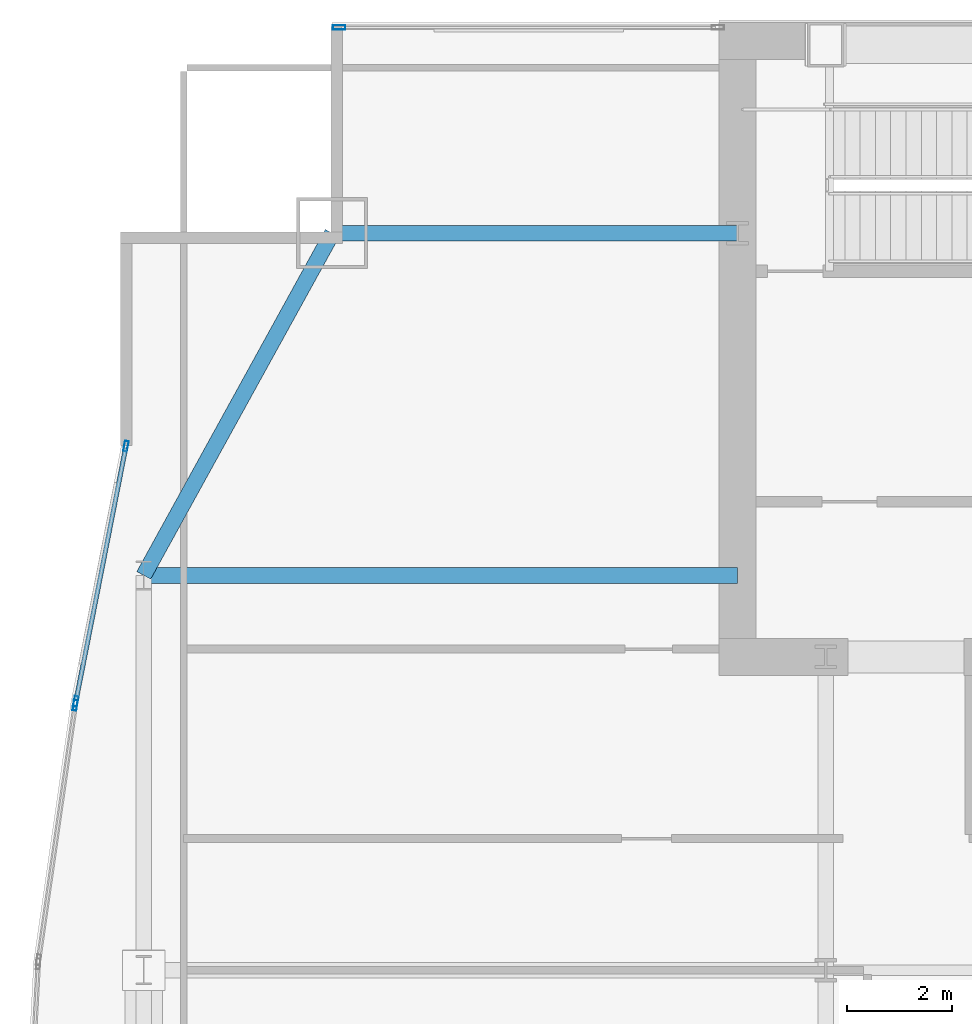
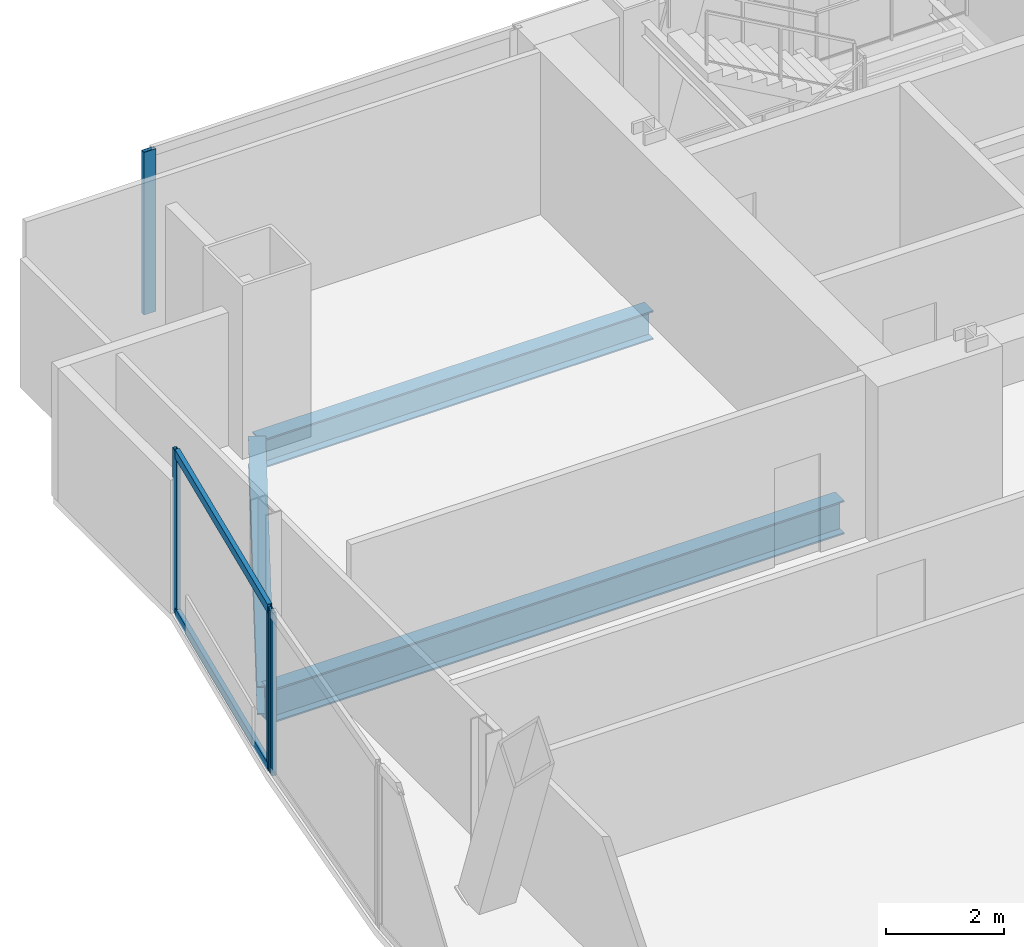
# One storey, part 18 of 31: 6 members, 3 beams, 3 elements without a shape of their own.
"""IFC4 building model written with IfcOpenShell, lengths in metres."""

from ifc_helpers import new_model, si_unit, direction, frame, origin, origin_2d, place, context, subcontext, project, spatial, hollow_rectangle, i_section, extrude, material, material_profile, profile_set, type_object, element, aggregate, save


model = new_model("IFC4")

# Units and contexts
model_context = context("Model", 3, precision=1e-05, world=origin(), true_north=direction((0.0, 1.0)))
body_context = subcontext(model_context, "Body", "Model", "MODEL_VIEW")
ifc_project = project(units=[si_unit("LENGTHUNIT", "METRE"), si_unit("AREAUNIT", "SQUARE_METRE"), si_unit("VOLUMEUNIT", "CUBIC_METRE"), si_unit("PLANEANGLEUNIT", "RADIAN"), si_unit("MASSUNIT", "GRAM", prefix="KILO")], contexts=[model_context])

# Site, building, storey
site_placement = place(None, origin())
site = spatial("IfcSite", under=ifc_project, at=site_placement, CompositionType="ELEMENT")
building_placement = place(site_placement, origin())
building = spatial("IfcBuilding", under=site, at=building_placement, Name="Khoronbel Lancet Exchange", CompositionType="ELEMENT")
storey_placement = place(building_placement, frame((0.0, 0.0, 168.60009765625)))
storey = spatial("IfcBuildingStorey", under=building, at=storey_placement, Name="L42", CompositionType="ELEMENT", Elevation=168.60009765625)

# Beams
ifc_material_1 = material(Name="Steel S355", Category="steel")
ifc_material_profile_1 = material_profile(ifc_material_1, i_section(OverallWidth=0.300048828125, OverallDepth=0.699951171875, WebThickness=0.01708984375, FlangeThickness=0.031982421875, at=origin_2d()), Name="HEB 700")
ifc_profile_set_1 = profile_set([ifc_material_profile_1], Name="Steel S355")
beam_type_1 = type_object("IfcBeamType", Name="BM-BG3", PredefinedType="BEAM", material=ifc_profile_set_1)
beam_1_placement = place(storey_placement, frame((5.27001953125, 43.199951171875, -0.510009765625), z_axis=(1.0, 0.0, 0.0), x_axis=(0.0, 1.0, 0.0)))
element("IfcBeam", 1, at=beam_1_placement, inside=storey, type_object=beam_type_1, Name="Level L42 west lens tie girder LG3W", PredefinedType="BEAM", context=body_context, shape_type="SweptSolid", body=[
    extrude(i_section(OverallWidth=0.300048828125, OverallDepth=0.699951171875, WebThickness=0.01708984375, FlangeThickness=0.031982421875, at=origin_2d()), origin(), (0.0, 0.0, 1.0), 11.280029296875),
])
ifc_material_profile_2 = material_profile(ifc_material_1, i_section(OverallWidth=0.300048828125, OverallDepth=0.60009765625, WebThickness=0.015380859375, FlangeThickness=0.030029296875, at=origin_2d()), Name="HEB 600")
ifc_profile_set_2 = profile_set([ifc_material_profile_2], Name="Steel S355")
beam_type_2 = type_object("IfcBeamType", Name="BM-BSP2", PredefinedType="SPANDREL", material=ifc_profile_set_2)
beam_2_placement = place(storey_placement, frame((8.85009765625, 49.699951171875, -0.460205078125), z_axis=(-0.482444051088, -0.875926787791, 0.0), x_axis=(0.875926787791, -0.482444051088, 0.0)))
element("IfcBeam", 2, at=beam_2_placement, inside=storey, type_object=beam_type_2, Name="Level L42 perimeter spandrel beam SP16", PredefinedType="SPANDREL", context=body_context, shape_type="SweptSolid", body=[
    extrude(i_section(OverallWidth=0.300048828125, OverallDepth=0.60009765625, WebThickness=0.015380859375, FlangeThickness=0.030029296875, at=origin_2d()), origin(), (0.0, 0.0, 1.0), 7.420654296875),
])
beam_3_placement = place(storey_placement, frame((8.85009765625, 49.699951171875, -0.460205078125), z_axis=(1.0, 0.0, 0.0), x_axis=(0.0, 1.0, 0.0)))
element("IfcBeam", 3, at=beam_3_placement, inside=storey, type_object=beam_type_2, Name="Level L42 north flank tie spandrel SP22", PredefinedType="SPANDREL", context=body_context, shape_type="SweptSolid", body=[
    extrude(i_section(OverallWidth=0.300048828125, OverallDepth=0.60009765625, WebThickness=0.015380859375, FlangeThickness=0.030029296875, at=origin_2d()), origin(), (0.0, 0.0, 1.0), 7.699951171875),
])

# Curtain wall, member
ifc_material_2 = material(Name="Low-E Solar Control Insulating Glass", Category="glass")
curtain_wall_type_1 = type_object("IfcCurtainWallType", Name="CW-3", PredefinedType="NOTDEFINED", material=ifc_material_2)
curtain_wall_1_placement = place(storey_placement, origin())
curtain_wall_1 = element("IfcCurtainWall", 4, at=curtain_wall_1_placement, inside=storey, type_object=curtain_wall_type_1, Name="Unitised curtain wall CW-L42-NWFLK", PredefinedType="NOTDEFINED")
ifc_material_3 = material(Name="Bronze-Anodised Aluminium 6063-T6", Category="aluminium")
ifc_material_profile_3 = material_profile(ifc_material_3, hollow_rectangle(XDim=0.0849609375, YDim=0.239990234375, WallThickness=0.006103515625, at=origin_2d()), Name="ALU MULLION 85x240")
ifc_profile_set_3 = profile_set([ifc_material_profile_3], Name="Bronze-Anodised Aluminium 6063-T6")
member_type_1 = type_object("IfcMemberType", Name="MEM-CWM1", PredefinedType="MULLION", material=ifc_profile_set_3)
member_1_placement = place(storey_placement, frame((8.982421875, 53.610107421875, 0.0), z_axis=(0.0, 0.0, 1.0), x_axis=(0.0, -1.0, 0.0)))
member_1 = element("IfcMember", 5, at=member_1_placement, type_object=member_type_1, Name="CW3 mullion 2", PredefinedType="MULLION", context=body_context, shape_type="SweptSolid", body=[
    extrude(hollow_rectangle(XDim=0.0849609375, YDim=0.239990234375, WallThickness=0.006103515625, at=origin_2d()), origin(), (0.0, 0.0, 1.0), 3.3798828125),
])
aggregate(curtain_wall_1, [member_1])

curtain_wall_type_2 = type_object("IfcCurtainWallType", Name="CW-4", PredefinedType="NOTDEFINED", material=ifc_material_2)
curtain_wall_2_placement = place(storey_placement, origin())
curtain_wall_2 = element("IfcCurtainWall", 6, at=curtain_wall_2_placement, inside=storey, type_object=curtain_wall_type_2, Name="Unitised curtain wall CW-L42-E08", PredefinedType="NOTDEFINED")
ifc_material_profile_4 = material_profile(ifc_material_3, hollow_rectangle(XDim=0.074951171875, YDim=0.199951171875, WallThickness=0.0048828125, at=origin_2d()), Name="ALU MULLION 75x200")
ifc_profile_set_4 = profile_set([ifc_material_profile_4], Name="Bronze-Anodised Aluminium 6063-T6")
member_type_2 = type_object("IfcMemberType", Name="MEM-CWM2", PredefinedType="MULLION", material=ifc_profile_set_4)
member_2_placement = place(storey_placement, frame((3.96826171875, 40.731201171875, 0.0), z_axis=(0.0, 0.0, 1.0), x_axis=(-0.989829804459, 0.142256663132, 0.0)))
member_2 = element("IfcMember", 7, at=member_2_placement, type_object=member_type_2, Name="CW4 mullion 2", PredefinedType="MULLION", context=body_context, shape_type="SweptSolid", body=[
    extrude(hollow_rectangle(XDim=0.074951171875, YDim=0.199951171875, WallThickness=0.0048828125, at=origin_2d()), origin(), (0.0, 0.0, 1.0), 3.3798828125),
])
aggregate(curtain_wall_2, [member_2])

# Curtain wall, members
curtain_wall_3_placement = place(storey_placement, origin())
curtain_wall_3 = element("IfcCurtainWall", 8, at=curtain_wall_3_placement, inside=storey, type_object=curtain_wall_type_2, Name="Unitised curtain wall CW-L42-E09", PredefinedType="NOTDEFINED")
member_3_placement = place(storey_placement, frame((3.980712890625, 40.804931640625, 0.0), z_axis=(0.0, 0.0, 1.0), x_axis=(-0.981272105563, 0.192626724116, 0.0)))
member_3 = element("IfcMember", 9, at=member_3_placement, type_object=member_type_2, Name="CW4 mullion 1", PredefinedType="MULLION", context=body_context, shape_type="SweptSolid", body=[
    extrude(hollow_rectangle(XDim=0.074951171875, YDim=0.199951171875, WallThickness=0.0048828125, at=origin_2d()), origin(), (0.0, 0.0, 1.0), 3.3798828125),
])
member_4_placement = place(storey_placement, frame((4.932861328125, 45.654296875, 0.0), z_axis=(0.0, 0.0, 1.0), x_axis=(-0.981272105563, 0.192626724116, 0.0)))
member_4 = element("IfcMember", 10, at=member_4_placement, type_object=member_type_2, Name="CW4 mullion 2", PredefinedType="MULLION", context=body_context, shape_type="SweptSolid", body=[
    extrude(hollow_rectangle(XDim=0.074951171875, YDim=0.199951171875, WallThickness=0.0048828125, at=origin_2d()), origin(), (0.0, 0.0, 1.0), 3.3798828125),
])
ifc_material_profile_5 = material_profile(ifc_material_3, hollow_rectangle(XDim=0.0849609375, YDim=0.179931640625, WallThickness=0.0048828125, at=origin_2d()), Name="ALU TRANSOM 85x180")
ifc_profile_set_5 = profile_set([ifc_material_profile_5], Name="Bronze-Anodised Aluminium 6063-T6")
member_type_3 = type_object("IfcMemberType", Name="MEM-CWT1", PredefinedType="USERDEFINED", material=ifc_profile_set_5)
member_5_placement = place(storey_placement, frame((3.988037109375, 40.841796875, 0.04248046875), z_axis=(0.192622830998, 0.981272869786, 0.0), x_axis=(-0.981272869786, 0.192622830998, 0.0)))
member_5 = element("IfcMember", 11, at=member_5_placement, type_object=member_type_3, Name="CW4 transom 1.1", ObjectType="TRANSOM", PredefinedType="USERDEFINED", context=body_context, shape_type="SweptSolid", body=[
    extrude(hollow_rectangle(XDim=0.0849609375, YDim=0.179931640625, WallThickness=0.0048828125, at=origin_2d()), origin(), (0.0, 0.0, 1.0), 4.866943359375),
])
member_6_placement = place(storey_placement, frame((3.988037109375, 40.841796875, 3.33740234375), z_axis=(0.192622830998, 0.981272869786, 0.0), x_axis=(-0.981272869786, 0.192622830998, 0.0)))
member_6 = element("IfcMember", 12, at=member_6_placement, type_object=member_type_3, Name="CW4 transom 1.2", ObjectType="TRANSOM", PredefinedType="USERDEFINED", context=body_context, shape_type="SweptSolid", body=[
    extrude(hollow_rectangle(XDim=0.0849609375, YDim=0.179931640625, WallThickness=0.0048828125, at=origin_2d()), origin(), (0.0, 0.0, 1.0), 4.866943359375),
])
aggregate(curtain_wall_3, [member_3, member_4, member_5, member_6])

save(model, "model.ifc")
